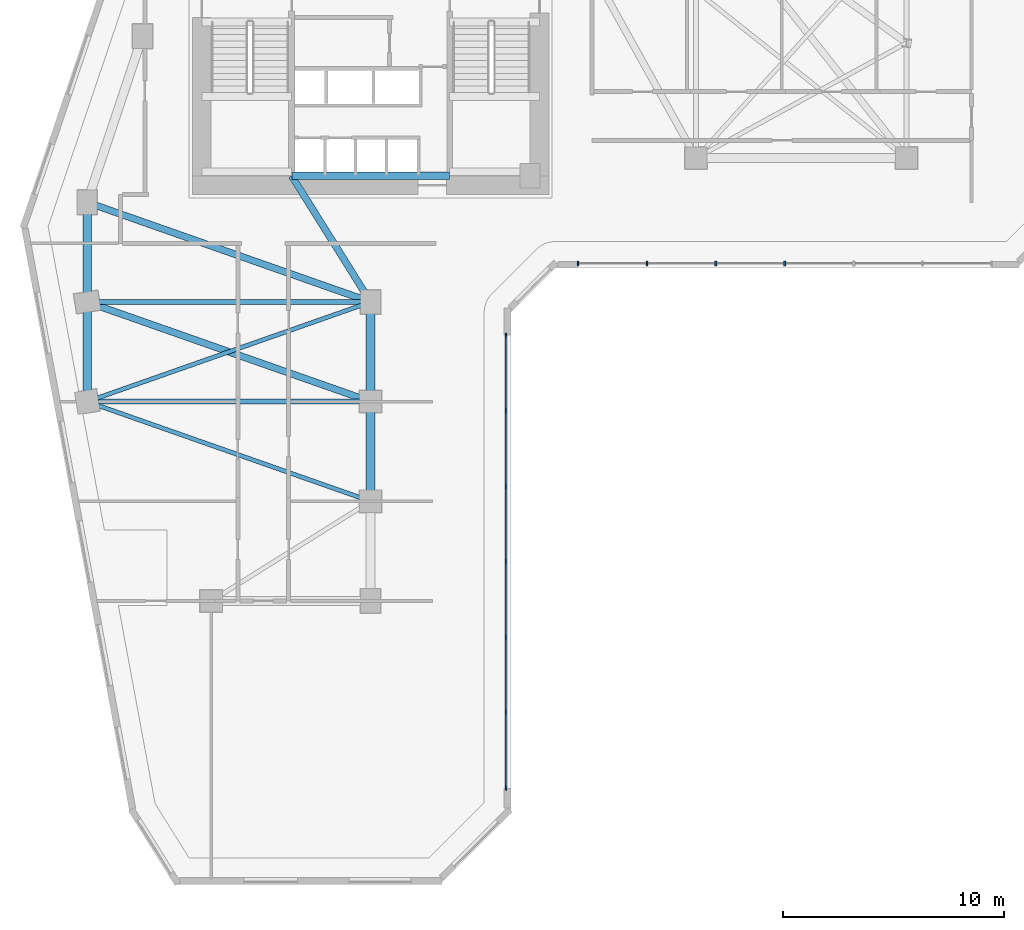
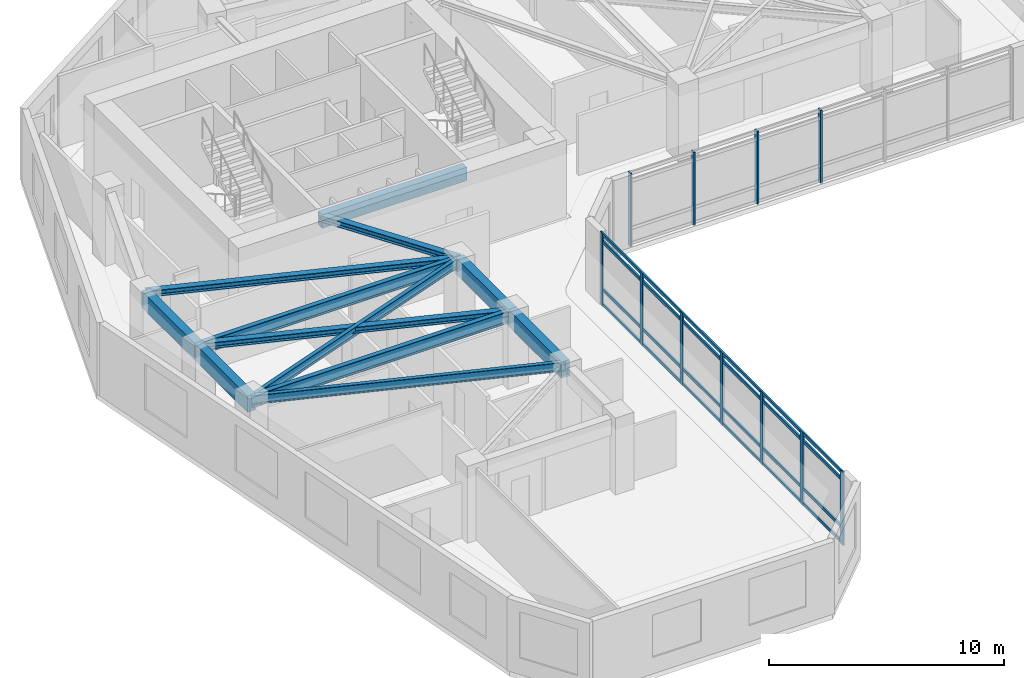
# One storey, part 2 of 11: 15 members, 12 beams, 2 elements without a shape of their own.
"""IFC4 building model written with IfcOpenShell, lengths in metres."""

from ifc_helpers import new_model, si_unit, direction, frame, origin, origin_2d, place, context, subcontext, project, spatial, rectangle, i_section, extrude, source, transform, mapped, material, material_profile, profile_set, type_object, element, aggregate, save


model = new_model("IFC4")

# Units and contexts
model_context = context("Model", 3, precision=1e-05, world=origin(), true_north=direction((0.0, 1.0)))
body_context = subcontext(model_context, "Body", "Model", "MODEL_VIEW")
ifc_project = project(units=[si_unit("LENGTHUNIT", "METRE"), si_unit("AREAUNIT", "SQUARE_METRE"), si_unit("VOLUMEUNIT", "CUBIC_METRE"), si_unit("PLANEANGLEUNIT", "RADIAN"), si_unit("MASSUNIT", "GRAM", prefix="KILO")], contexts=[model_context])

# Site, building, storey
site_placement = place(None, origin())
site = spatial("IfcSite", under=ifc_project, at=site_placement, CompositionType="ELEMENT")
building_placement = place(site_placement, origin())
building = spatial("IfcBuilding", under=site, at=building_placement, Name="Calvemar Wedge Station Tower", CompositionType="ELEMENT")
storey_placement = place(building_placement, frame((0.0, 0.0, 79.0)))
storey = spatial("IfcBuildingStorey", under=building, at=storey_placement, Name="L19", CompositionType="ELEMENT", Elevation=79.0)

# Beams
ifc_material_1 = material(Name="Concrete C60", Category="concrete")
ifc_material_profile_1 = material_profile(ifc_material_1, rectangle(XDim=0.39990234375, YDim=0.85009765625, at=origin_2d()), Name="RC400x850")
ifc_profile_set_1 = profile_set([ifc_material_profile_1], Name="Concrete C60")
beam_type_1 = type_object("IfcBeamType", Name="BM-SP1-850", PredefinedType="SPANDREL", material=ifc_profile_set_1)
shared_shape_1 = source(origin(), body_context, "Body", "SweptSolid", [
    extrude(rectangle(XDim=0.39990234375, YDim=0.85009765625, at=origin_2d()), origin(), (0.0, 0.0, 1.0), 4.5),
])
for number, where, z_axis, x_axis, name in (
    (1, (11.0, 33.0, 3.324951171875), (0.0, -1.0, 0.0), (1.0, 0.0, 0.0), "Storey L19 Spandrel T-NW1-T-SW1"),
    (2, (11.0, 28.5, 3.324951171875), (0.0, -1.0, 0.0), (1.0, 0.0, 0.0), "Storey L19 Spandrel T-SW1-T-SW2"),
    (3, (23.800048828125, 28.5, 3.324951171875), (0.0, -1.0, 0.0), (1.0, 0.0, 0.0), "Storey L19 Spandrel T-SE1-T-SE2"),
    (4, (23.800048828125, 24.0, 3.324951171875), (0.0, -1.0, 0.0), (1.0, 0.0, 0.0), "Storey L19 Spandrel T-SE2-T-SE3"),
):
    element("IfcBeam", number, at=place(storey_placement, frame(where, z_axis=z_axis, x_axis=x_axis)), inside=storey, type_object=beam_type_1, Name=name, PredefinedType="SPANDREL", context=body_context, shape_type="MappedRepresentation", body=[
        mapped(shared_shape_1, transform((0.0, 0.0, 0.0), scale=1.0)),
    ])
ifc_material_2 = material(Name="Structural steel ASTM A572 Grade 50", Category="steel")
ifc_material_profile_2 = material_profile(ifc_material_2, i_section(OverallWidth=0.22998046875, OverallDepth=0.616943359375, WebThickness=0.01318359375, FlangeThickness=0.022216796875, FilletRadius=0.012939453125, at=origin_2d()), Name="W610x140")
ifc_profile_set_2 = profile_set([ifc_material_profile_2], Name="Structural steel ASTM A572 Grade 50")
beam_type_2 = type_object("IfcBeamType", Name="BM-SB2-W610", PredefinedType="BEAM", material=ifc_profile_set_2)
shared_shape_2 = source(origin(), body_context, "Body", "SweptSolid", [
    extrude(i_section(OverallWidth=0.22998046875, OverallDepth=0.616943359375, WebThickness=0.01318359375, FlangeThickness=0.022216796875, FilletRadius=0.012939453125, at=origin_2d()), origin(), (0.0, 0.0, 1.0), 12.800048828125),
])
for number, where, z_axis, x_axis, name in (
    (5, (11.0, 28.5, 3.44140625), (1.0, 0.0, 0.0), (0.0, 1.0, 0.0), "Storey L19 Floor Beam T-SW1-T-SE1"),
    (6, (11.0, 24.0, 3.44140625), (1.0, 0.0, 0.0), (0.0, 1.0, 0.0), "Storey L19 Floor Beam T-SW2-T-SE2"),
):
    element("IfcBeam", number, at=place(storey_placement, frame(where, z_axis=z_axis, x_axis=x_axis)), inside=storey, type_object=beam_type_2, Name=name, PredefinedType="BEAM", context=body_context, shape_type="MappedRepresentation", body=[
        mapped(shared_shape_2, transform((0.0, 0.0, 0.0), scale=1.0)),
    ])
ifc_material_3 = material(Name="Concrete C70", Category="concrete")
ifc_material_profile_3 = material_profile(ifc_material_3, rectangle(XDim=0.35009765625, YDim=0.699951171875, at=origin_2d()), Name="RC350x700")
ifc_profile_set_3 = profile_set([ifc_material_profile_3], Name="Concrete C70")
beam_type_3 = type_object("IfcBeamType", Name="BM-LN1-700", PredefinedType="LINTEL", material=ifc_profile_set_3)
shared_shape_3 = source(origin(), body_context, "Body", "SweptSolid", [
    extrude(rectangle(XDim=0.35009765625, YDim=0.699951171875, at=origin_2d()), origin(), (0.0, 0.0, 1.0), 7.10009765625),
])
beam_1_placement = place(storey_placement, frame((20.25, 34.199951171875, 3.39990234375), z_axis=(1.0, 0.0, 0.0), x_axis=(0.0, 1.0, 0.0)))
element("IfcBeam", 7, at=beam_1_placement, inside=storey, type_object=beam_type_3, Name="Storey L19 Core Coupling Lintel South", PredefinedType="LINTEL", context=body_context, shape_type="MappedRepresentation", body=[
    mapped(shared_shape_3, transform((0.0, 0.0, 0.0), scale=1.0)),
])
ifc_material_profile_4 = material_profile(ifc_material_2, i_section(OverallWidth=0.30908203125, OverallDepth=0.322998046875, WebThickness=0.013916015625, FlangeThickness=0.02294921875, FilletRadius=0.014892578125, at=origin_2d()), Name="W310x143")
ifc_profile_set_4 = profile_set([ifc_material_profile_4], Name="Structural steel ASTM A572 Grade 50")
beam_type_4 = type_object("IfcBeamType", Name="BM-J5-W310H", PredefinedType="JOIST", material=ifc_profile_set_4)
shared_shape_4 = source(origin(), body_context, "Body", "SweptSolid", [
    extrude(i_section(OverallWidth=0.30908203125, OverallDepth=0.322998046875, WebThickness=0.013916015625, FlangeThickness=0.02294921875, FilletRadius=0.014892578125, at=origin_2d()), origin(), (0.0, 0.0, 1.0), 13.568115234375),
])
for number, where, z_axis, x_axis, name in (
    (8, (11.0, 33.0, 3.58837890625), (0.943398221169, -0.331662171939, 0.0), (0.331662171939, 0.943398221169, 0.0), "Storey L19 Floor Beam T-NW1-T-SE1"),
    (9, (11.0, 28.5, 3.58837890625), (0.943398221169, -0.331662171939, 0.0), (0.331662171939, 0.943398221169, 0.0), "Storey L19 Floor Beam T-SW1-T-SE2"),
):
    element("IfcBeam", number, at=place(storey_placement, frame(where, z_axis=z_axis, x_axis=x_axis)), inside=storey, type_object=beam_type_4, Name=name, PredefinedType="JOIST", context=body_context, shape_type="MappedRepresentation", body=[
        mapped(shared_shape_4, transform((0.0, 0.0, 0.0), scale=1.0)),
    ])
ifc_material_profile_5 = material_profile(ifc_material_2, i_section(OverallWidth=0.19189453125, OverallDepth=0.462890625, WebThickness=0.010498046875, FlangeThickness=0.017578125, FilletRadius=0.012939453125, at=origin_2d()), Name="W460x89")
ifc_profile_set_5 = profile_set([ifc_material_profile_5], Name="Structural steel ASTM A572 Grade 50")
beam_type_5 = type_object("IfcBeamType", Name="BM-J1-W460", PredefinedType="JOIST", material=ifc_profile_set_5)
shared_shape_5 = source(origin(), body_context, "Body", "SweptSolid", [
    extrude(i_section(OverallWidth=0.19189453125, OverallDepth=0.462890625, WebThickness=0.010498046875, FlangeThickness=0.017578125, FilletRadius=0.012939453125, at=origin_2d()), origin(), (0.0, 0.0, 1.0), 13.568115234375),
])
for number, where, z_axis, x_axis, name in (
    (10, (23.800048828125, 28.5, 3.5185546875), (-0.943398221169, -0.331662171939, 0.0), (0.331662171939, -0.943398221169, 0.0), "Storey L19 Floor Beam T-SE1-T-SW2"),
    (11, (11.0, 24.0, 3.5185546875), (0.943398221169, -0.331662171939, 0.0), (0.331662171939, 0.943398221169, 0.0), "Storey L19 Floor Beam T-SW2-T-SE3"),
):
    element("IfcBeam", number, at=place(storey_placement, frame(where, z_axis=z_axis, x_axis=x_axis)), inside=storey, type_object=beam_type_5, Name=name, PredefinedType="JOIST", context=body_context, shape_type="MappedRepresentation", body=[
        mapped(shared_shape_5, transform((0.0, 0.0, 0.0), scale=1.0)),
    ])
shared_shape_6 = source(origin(), body_context, "Body", "SweptSolid", [
    extrude(i_section(OverallWidth=0.30908203125, OverallDepth=0.322998046875, WebThickness=0.013916015625, FlangeThickness=0.02294921875, FilletRadius=0.014892578125, at=origin_2d()), origin(), (0.0, 0.0, 1.0), 6.7255859375),
])
beam_2_placement = place(storey_placement, frame((20.22998046875, 34.199951171875, 3.58837890625), z_axis=(0.530811158438, -0.847490126242, 0.0), x_axis=(0.847490126242, 0.530811158438, 0.0)))
element("IfcBeam", 12, at=beam_2_placement, inside=storey, type_object=beam_type_4, Name="Storey L19 Core-to-Column Joist CJ-S2", PredefinedType="JOIST", context=body_context, shape_type="MappedRepresentation", body=[
    mapped(shared_shape_6, transform((0.0, 0.0, 0.0), scale=1.0)),
])

# Curtain wall, members
ifc_material_4 = material(Name="Anodised aluminium 6063-T6", Category="aluminium")
curtain_wall_type = type_object("IfcCurtainWallType", Name="CW1", PredefinedType="NOTDEFINED", material=ifc_material_4)
curtain_wall_1_placement = place(storey_placement, origin())
curtain_wall_1 = element("IfcCurtainWall", 13, at=curtain_wall_1_placement, inside=storey, type_object=curtain_wall_type, Name="Storey L19 CW1 Recessed Unitised Curtain Wall 4", PredefinedType="NOTDEFINED")
ifc_material_profile_6 = material_profile(ifc_material_4, rectangle(XDim=0.080078125, YDim=0.219970703125, at=origin_2d()), Name="AL-MUL-80x220")
ifc_profile_set_6 = profile_set([ifc_material_profile_6], Name="Anodised aluminium 6063-T6")
member_type_1 = type_object("IfcMemberType", Name="CW1-MUL", PredefinedType="MULLION", material=ifc_profile_set_6)
shared_shape_7 = source(origin(), body_context, "Body", "SweptSolid", [
    extrude(rectangle(XDim=0.080078125, YDim=0.219970703125, at=origin_2d()), origin(), (0.0, 0.0, 1.0), 3.800048828125),
])
member_1_placement = place(storey_placement, frame((29.91796875, 6.56201171875, -0.050048828125), z_axis=(0.0, 0.0, 1.0), x_axis=(1.0, 0.0, 0.0)))
member_1 = element("IfcMember", 14, at=member_1_placement, type_object=member_type_1, Name="CW1 mullion 1", PredefinedType="MULLION", context=body_context, shape_type="MappedRepresentation", body=[
    mapped(shared_shape_7, transform((0.0, 0.0, 0.0), scale=1.0)),
])
member_2_placement = place(storey_placement, frame((29.91796875, 9.966796875, -0.050048828125), z_axis=(0.0, 0.0, 1.0), x_axis=(1.0, 0.0, 0.0)))
member_2 = element("IfcMember", 15, at=member_2_placement, type_object=member_type_1, Name="CW1 mullion 2", PredefinedType="MULLION", context=body_context, shape_type="MappedRepresentation", body=[
    mapped(shared_shape_7, transform((0.0, 0.0, 0.0), scale=1.0)),
])
member_3_placement = place(storey_placement, frame((29.91796875, 13.371337890625, -0.050048828125), z_axis=(0.0, 0.0, 1.0), x_axis=(1.0, 0.0, 0.0)))
member_3 = element("IfcMember", 16, at=member_3_placement, type_object=member_type_1, Name="CW1 mullion 3", PredefinedType="MULLION", context=body_context, shape_type="MappedRepresentation", body=[
    mapped(shared_shape_7, transform((0.0, 0.0, 0.0), scale=1.0)),
])
member_4_placement = place(storey_placement, frame((29.91796875, 16.776123046875, -0.050048828125), z_axis=(0.0, 0.0, 1.0), x_axis=(1.0, 0.0, 0.0)))
member_4 = element("IfcMember", 17, at=member_4_placement, type_object=member_type_1, Name="CW1 mullion 4", PredefinedType="MULLION", context=body_context, shape_type="MappedRepresentation", body=[
    mapped(shared_shape_7, transform((0.0, 0.0, 0.0), scale=1.0)),
])
member_5_placement = place(storey_placement, frame((29.91796875, 20.180908203125, -0.050048828125), z_axis=(0.0, 0.0, 1.0), x_axis=(1.0, 0.0, 0.0)))
member_5 = element("IfcMember", 18, at=member_5_placement, type_object=member_type_1, Name="CW1 mullion 5", PredefinedType="MULLION", context=body_context, shape_type="MappedRepresentation", body=[
    mapped(shared_shape_7, transform((0.0, 0.0, 0.0), scale=1.0)),
])
member_6_placement = place(storey_placement, frame((29.91796875, 23.58544921875, -0.050048828125), z_axis=(0.0, 0.0, 1.0), x_axis=(1.0, 0.0, 0.0)))
member_6 = element("IfcMember", 19, at=member_6_placement, type_object=member_type_1, Name="CW1 mullion 6", PredefinedType="MULLION", context=body_context, shape_type="MappedRepresentation", body=[
    mapped(shared_shape_7, transform((0.0, 0.0, 0.0), scale=1.0)),
])
member_7_placement = place(storey_placement, frame((29.91796875, 26.989990234375, -0.050048828125), z_axis=(0.0, 0.0, 1.0), x_axis=(1.0, 0.0, 0.0)))
member_7 = element("IfcMember", 20, at=member_7_placement, type_object=member_type_1, Name="CW1 mullion 7", PredefinedType="MULLION", context=body_context, shape_type="MappedRepresentation", body=[
    mapped(shared_shape_7, transform((0.0, 0.0, 0.0), scale=1.0)),
])

curtain_wall_2_placement = place(storey_placement, origin())
curtain_wall_2 = element("IfcCurtainWall", 21, at=curtain_wall_2_placement, inside=storey, type_object=curtain_wall_type, Name="Storey L19 CW1 Recessed Unitised Curtain Wall 6", PredefinedType="NOTDEFINED")
member_8_placement = place(storey_placement, frame((33.166015625, 30.238037109375, -0.050048828125), z_axis=(0.0, 0.0, 1.0), x_axis=(1.0, 0.0, 0.0)))
member_8 = element("IfcMember", 22, at=member_8_placement, type_object=member_type_1, Name="CW1 mullion 1", PredefinedType="MULLION", context=body_context, shape_type="MappedRepresentation", body=[
    mapped(shared_shape_7, transform((0.0, 0.0, 0.0), scale=1.0)),
])
member_9_placement = place(storey_placement, frame((36.27783203125, 30.238037109375, -0.050048828125), z_axis=(0.0, 0.0, 1.0), x_axis=(1.0, 0.0, 0.0)))
member_9 = element("IfcMember", 23, at=member_9_placement, type_object=member_type_1, Name="CW1 mullion 2", PredefinedType="MULLION", context=body_context, shape_type="MappedRepresentation", body=[
    mapped(shared_shape_7, transform((0.0, 0.0, 0.0), scale=1.0)),
])
member_10_placement = place(storey_placement, frame((39.389892578125, 30.238037109375, -0.050048828125), z_axis=(0.0, 0.0, 1.0), x_axis=(1.0, 0.0, 0.0)))
member_10 = element("IfcMember", 24, at=member_10_placement, type_object=member_type_1, Name="CW1 mullion 3", PredefinedType="MULLION", context=body_context, shape_type="MappedRepresentation", body=[
    mapped(shared_shape_7, transform((0.0, 0.0, 0.0), scale=1.0)),
])
member_11_placement = place(storey_placement, frame((42.501953125, 30.238037109375, -0.050048828125), z_axis=(0.0, 0.0, 1.0), x_axis=(1.0, 0.0, 0.0)))
member_11 = element("IfcMember", 25, at=member_11_placement, type_object=member_type_1, Name="CW1 mullion 4", PredefinedType="MULLION", context=body_context, shape_type="MappedRepresentation", body=[
    mapped(shared_shape_7, transform((0.0, 0.0, 0.0), scale=1.0)),
])
aggregate(curtain_wall_2, [member_8, member_9, member_10, member_11])

# Member
ifc_material_profile_7 = material_profile(ifc_material_4, rectangle(XDim=0.080078125, YDim=0.159912109375, at=origin_2d()), Name="AL-TRN-80x160")
ifc_profile_set_7 = profile_set([ifc_material_profile_7], Name="Anodised aluminium 6063-T6")
member_type_2 = type_object("IfcMemberType", Name="CW1-TRN", PredefinedType="USERDEFINED", material=ifc_profile_set_7)
shared_shape_8 = source(origin(), body_context, "Body", "SweptSolid", [
    extrude(rectangle(XDim=0.080078125, YDim=0.159912109375, at=origin_2d()), origin(), (0.0, 0.0, 1.0), 20.427978515625),
])
member_12_placement = place(storey_placement, frame((29.91796875, 6.56201171875, 0.06005859375), z_axis=(0.0, 1.0, 0.0), x_axis=(-1.0, 0.0, 0.0)))
member_12 = element("IfcMember", 26, at=member_12_placement, type_object=member_type_2, Name="CW1 transom 1", ObjectType="TRANSOM", PredefinedType="USERDEFINED", context=body_context, shape_type="MappedRepresentation", body=[
    mapped(shared_shape_8, transform((0.0, 0.0, 0.0), scale=1.0)),
])

member_13_placement = place(storey_placement, frame((29.91796875, 6.56201171875, 0.85009765625), z_axis=(0.0, 1.0, 0.0), x_axis=(-1.0, 0.0, 0.0)))
member_13 = element("IfcMember", 27, at=member_13_placement, type_object=member_type_2, Name="CW1 transom 2", ObjectType="TRANSOM", PredefinedType="USERDEFINED", context=body_context, shape_type="MappedRepresentation", body=[
    mapped(shared_shape_8, transform((0.0, 0.0, 0.0), scale=1.0)),
])

member_14_placement = place(storey_placement, frame((29.91796875, 6.56201171875, 3.300048828125), z_axis=(0.0, 1.0, 0.0), x_axis=(-1.0, 0.0, 0.0)))
member_14 = element("IfcMember", 28, at=member_14_placement, type_object=member_type_2, Name="CW1 transom 3", ObjectType="TRANSOM", PredefinedType="USERDEFINED", context=body_context, shape_type="MappedRepresentation", body=[
    mapped(shared_shape_8, transform((0.0, 0.0, 0.0), scale=1.0)),
])

member_15_placement = place(storey_placement, frame((29.91796875, 6.56201171875, 3.68994140625), z_axis=(0.0, 1.0, 0.0), x_axis=(-1.0, 0.0, 0.0)))
member_15 = element("IfcMember", 29, at=member_15_placement, type_object=member_type_2, Name="CW1 transom 4", ObjectType="TRANSOM", PredefinedType="USERDEFINED", context=body_context, shape_type="MappedRepresentation", body=[
    mapped(shared_shape_8, transform((0.0, 0.0, 0.0), scale=1.0)),
])

aggregate(curtain_wall_1, [member_1, member_2, member_3, member_4, member_5, member_6, member_7, member_12, member_13, member_14, member_15])

save(model, "model.ifc")
